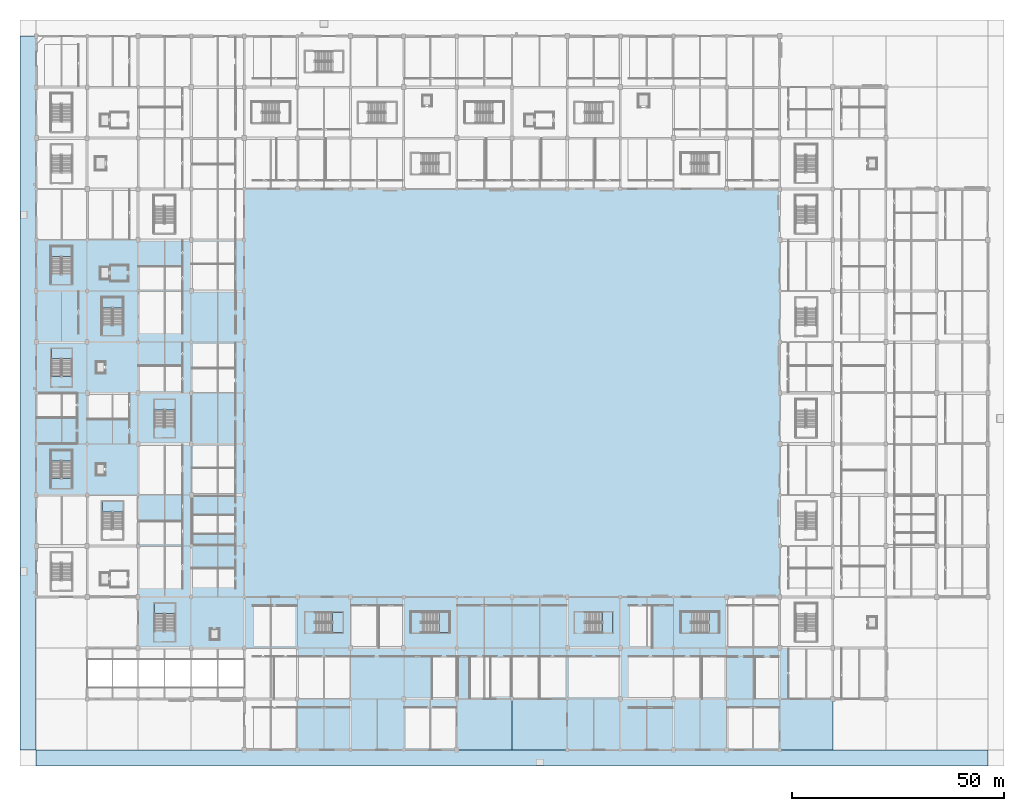
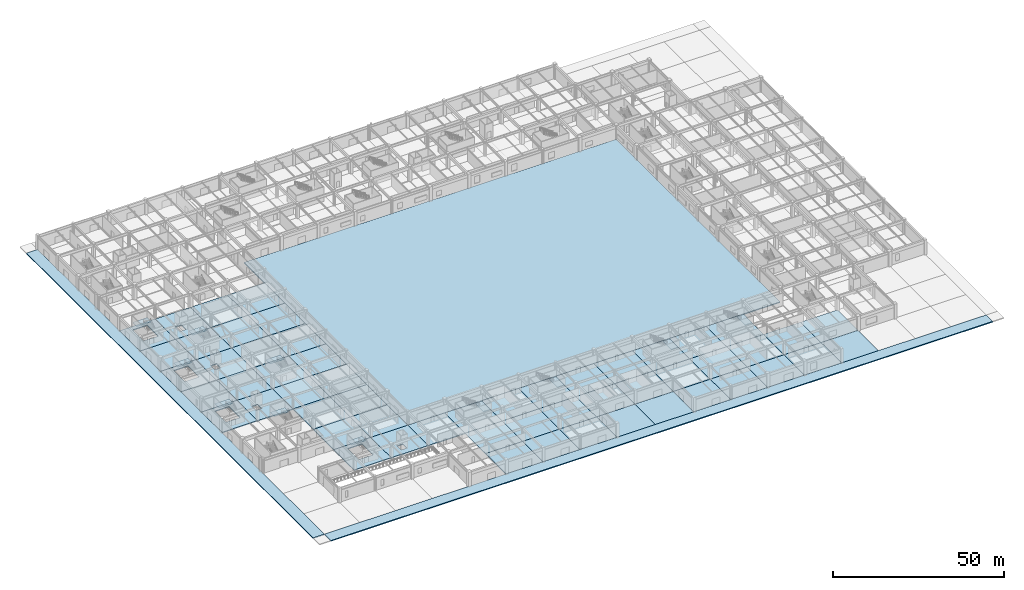
# One storey, part 9 of 69: 69 slabs, 11 elements without a shape of their own.
"""IFC4 building model written with IfcOpenShell, lengths in metres."""

from ifc_helpers import new_model, si_unit, direction, frame, origin, place, context, subcontext, project, spatial, polyline, outline, extrude, material, layer, layer_set, type_object, element, aggregate, save


model = new_model("IFC4")

# Units and contexts
model_context = context("Model", 3, precision=1e-05, world=origin(), true_north=direction((0.0, 1.0)))
body_context = subcontext(model_context, "Body", "Model", "MODEL_VIEW")
ifc_project = project(units=[si_unit("LENGTHUNIT", "METRE"), si_unit("AREAUNIT", "SQUARE_METRE"), si_unit("VOLUMEUNIT", "CUBIC_METRE"), si_unit("PLANEANGLEUNIT", "RADIAN"), si_unit("MASSUNIT", "GRAM", prefix="KILO")], contexts=[model_context])

# Site, building, storey
site_placement = place(None, origin())
site = spatial("IfcSite", under=ifc_project, at=site_placement, CompositionType="ELEMENT")
building_placement = place(site_placement, origin())
building = spatial("IfcBuilding", under=site, at=building_placement, Name="Kazenohara Klinker Stadium", CompositionType="ELEMENT")
storey_placement = place(building_placement, origin())
storey = spatial("IfcBuildingStorey", under=building, at=storey_placement, Name="L00", CompositionType="ELEMENT", Elevation=0.0)

# Slabs
ifc_material = material(Name="Concrete C40/50", Category="concrete")
ifc_layer_1 = layer(ifc_material, 0.340087890625)
ifc_layer_set_1 = layer_set([ifc_layer_1], Name="Concrete C40/50")
slab_type_1 = type_object("IfcSlabType", Name="SLB-APR-340", PredefinedType="FLOOR", material=ifc_layer_set_1)
slab_1_placement = place(storey_placement, frame((0.0, 0.0, -0.340087890625)))
element("IfcSlab", 1, at=slab_1_placement, inside=storey, type_object=slab_type_1, Name="Exterior arrival forecourt paving slab AP01 9/A", PredefinedType="FLOOR", context=body_context, shape_type="SweptSolid", body=[
    extrude(outline(polyline([(99.0, 0.0), (112.0, 0.0), (112.0, 12.0), (99.0, 12.0), (99.0, 0.0)])), origin(), (0.0, 0.0, 1.0), 0.340087890625),
])
slab_2_placement = place(storey_placement, frame((0.0, 0.0, -0.340087890625)))
element("IfcSlab", 2, at=slab_2_placement, inside=storey, type_object=slab_type_1, Name="Exterior arrival forecourt paving slab AP01 10/A", PredefinedType="FLOOR", context=body_context, shape_type="SweptSolid", body=[
    extrude(outline(polyline([(112.0, 0.0), (125.0, 0.0), (125.0, 12.0), (112.0, 12.0), (112.0, 0.0)])), origin(), (0.0, 0.0, 1.0), 0.340087890625),
])
slab_3_placement = place(storey_placement, frame((0.0, 0.0, -0.340087890625)))
element("IfcSlab", 3, at=slab_3_placement, inside=storey, type_object=slab_type_1, Name="Exterior arrival forecourt paving slab AP01 15/A", PredefinedType="FLOOR", context=body_context, shape_type="SweptSolid", body=[
    extrude(outline(polyline([(175.0, 0.0), (187.5, 0.0), (187.5, 12.0), (175.0, 12.0), (175.0, 0.0)])), origin(), (0.0, 0.0, 1.0), 0.340087890625),
])
slab_4_placement = place(storey_placement, frame((0.0, 0.0, -0.340087890625)))
element("IfcSlab", 4, at=slab_4_placement, inside=storey, type_object=slab_type_1, Name="Exterior plaza and pitch slab PLAZA-WEST", PredefinedType="FLOOR", context=body_context, shape_type="SweptSolid", body=[
    extrude(outline(polyline([(-3.800048828125, 0.0), (0.0, 0.0), (0.0, 168.0), (-3.800048828125, 168.0), (-3.800048828125, 0.0)])), origin(), (0.0, 0.0, 1.0), 0.340087890625),
])
slab_5_placement = place(storey_placement, frame((0.0, 0.0, -0.340087890625)))
element("IfcSlab", 5, at=slab_5_placement, inside=storey, type_object=slab_type_1, Name="Exterior plaza and pitch slab PLAZA-SOUTH", PredefinedType="FLOOR", context=body_context, shape_type="SweptSolid", body=[
    extrude(outline(polyline([(0.0, -3.800048828125), (224.0, -3.800048828125), (224.0, 0.0), (0.0, 0.0), (0.0, -3.800048828125)])), origin(), (0.0, 0.0, 1.0), 0.340087890625),
])
slab_6_placement = place(storey_placement, frame((0.0, 0.0, -0.340087890625)))
element("IfcSlab", 6, at=slab_6_placement, inside=storey, type_object=slab_type_1, Name="Exterior plaza and pitch slab PITCH-BOWL-TURF", PredefinedType="FLOOR", context=body_context, shape_type="SweptSolid", body=[
    extrude(outline(polyline([(49.0, 36.0), (175.0, 36.0), (175.0, 132.0), (49.0, 132.0), (49.0, 36.0)])), origin(), (0.0, 0.0, 1.0), 0.340087890625),
])
ifc_layer_2 = layer(ifc_material, 0.300048828125)
ifc_layer_set_2 = layer_set([ifc_layer_2], Name="Concrete C40/50")
slab_type_2 = type_object("IfcSlabType", Name="SLB-FLR-300", PredefinedType="FLOOR", material=ifc_layer_set_2)
slab_7_placement = place(storey_placement, frame((0.0, 0.0, -0.300048828125)))
element("IfcSlab", 7, at=slab_7_placement, inside=storey, type_object=slab_type_2, Name="Floor slab FS01 L00 1/F", PredefinedType="FLOOR", context=body_context, shape_type="SweptSolid", body=[
    extrude(outline(polyline([(0.0, 60.0), (12.0, 60.0), (12.0, 72.0), (0.0, 72.0), (0.0, 60.0)]), holes=[polyline([(8.409912109375, 63.929931640625), (8.409912109375, 70.4599609375), (3.590087890625, 70.4599609375), (3.590087890625, 63.929931640625), (8.409912109375, 63.929931640625)])]), origin(), (0.0, 0.0, 1.0), 0.300048828125),
])
slab_8_placement = place(storey_placement, frame((0.0, 0.0, -0.300048828125)))
element("IfcSlab", 8, at=slab_8_placement, inside=storey, type_object=slab_type_2, Name="Floor slab FS01 L00 1/G", PredefinedType="FLOOR", context=body_context, shape_type="SweptSolid", body=[
    extrude(outline(polyline([(0.0, 72.0), (12.0, 72.0), (12.0, 84.0), (0.0, 84.0), (0.0, 72.0)])), origin(), (0.0, 0.0, 1.0), 0.300048828125),
])
slab_9_placement = place(storey_placement, frame((0.0, 0.0, -0.300048828125)))
element("IfcSlab", 9, at=slab_9_placement, inside=storey, type_object=slab_type_2, Name="Floor slab FS01 L00 1/H", PredefinedType="FLOOR", context=body_context, shape_type="SweptSolid", body=[
    extrude(outline(polyline([(0.0, 84.0), (12.0, 84.0), (12.0, 96.0), (0.0, 96.0), (0.0, 84.0)]), holes=[polyline([(8.429931640625, 87.949951171875), (8.429931640625, 94.4599609375), (3.570068359375, 94.4599609375), (3.570068359375, 87.949951171875), (8.429931640625, 87.949951171875)])]), origin(), (0.0, 0.0, 1.0), 0.300048828125),
])
slab_10_placement = place(storey_placement, frame((0.0, 0.0, -0.300048828125)))
element("IfcSlab", 10, at=slab_10_placement, inside=storey, type_object=slab_type_2, Name="Floor slab FS01 L00 1/J", PredefinedType="FLOOR", context=body_context, shape_type="SweptSolid", body=[
    extrude(outline(polyline([(0.0, 96.0), (12.0, 96.0), (12.0, 108.0), (0.0, 108.0), (0.0, 96.0)])), origin(), (0.0, 0.0, 1.0), 0.300048828125),
])
slab_11_placement = place(storey_placement, frame((0.0, 0.0, -0.300048828125)))
element("IfcSlab", 11, at=slab_11_placement, inside=storey, type_object=slab_type_2, Name="Floor slab FS01 L00 1/K", PredefinedType="FLOOR", context=body_context, shape_type="SweptSolid", body=[
    extrude(outline(polyline([(0.0, 108.0), (12.0, 108.0), (12.0, 120.0), (0.0, 120.0), (0.0, 108.0)]), holes=[polyline([(8.43994140625, 111.9599609375), (8.43994140625, 118.4599609375), (3.56005859375, 118.4599609375), (3.56005859375, 111.9599609375), (8.43994140625, 111.9599609375)])]), origin(), (0.0, 0.0, 1.0), 0.300048828125),
])
slab_12_placement = place(storey_placement, frame((0.0, 0.0, -0.300048828125)))
element("IfcSlab", 12, at=slab_12_placement, inside=storey, type_object=slab_type_2, Name="Floor slab FS01 L00 2/F", PredefinedType="FLOOR", context=body_context, shape_type="SweptSolid", body=[
    extrude(outline(polyline([(12.0, 60.0), (24.0, 60.0), (24.0, 72.0), (12.0, 72.0), (12.0, 60.0)]), holes=[polyline([(14.25, 64.800048828125), (16.14990234375, 64.800048828125), (16.14990234375, 67.199951171875), (14.25, 67.199951171875), (14.25, 64.800048828125)])]), origin(), (0.0, 0.0, 1.0), 0.300048828125),
])
slab_13_placement = place(storey_placement, frame((0.0, 0.0, -0.300048828125)))
element("IfcSlab", 13, at=slab_13_placement, inside=storey, type_object=slab_type_2, Name="Floor slab FS01 L00 2/G", PredefinedType="FLOOR", context=body_context, shape_type="SweptSolid", body=[
    extrude(outline(polyline([(12.0, 72.0), (24.0, 72.0), (24.0, 84.0), (12.0, 84.0), (12.0, 72.0)])), origin(), (0.0, 0.0, 1.0), 0.300048828125),
])
slab_14_placement = place(storey_placement, frame((0.0, 0.0, -0.300048828125)))
element("IfcSlab", 14, at=slab_14_placement, inside=storey, type_object=slab_type_2, Name="Floor slab FS01 L00 2/H", PredefinedType="FLOOR", context=body_context, shape_type="SweptSolid", body=[
    extrude(outline(polyline([(12.0, 84.0), (24.0, 84.0), (24.0, 96.0), (12.0, 96.0), (12.0, 84.0)]), holes=[polyline([(14.25, 88.800048828125), (16.14990234375, 88.800048828125), (16.14990234375, 91.199951171875), (14.25, 91.199951171875), (14.25, 88.800048828125)])]), origin(), (0.0, 0.0, 1.0), 0.300048828125),
])
slab_15_placement = place(storey_placement, frame((0.0, 0.0, -0.300048828125)))
element("IfcSlab", 15, at=slab_15_placement, inside=storey, type_object=slab_type_2, Name="Floor slab FS01 L00 2/J", PredefinedType="FLOOR", context=body_context, shape_type="SweptSolid", body=[
    extrude(outline(polyline([(12.0, 96.0), (24.0, 96.0), (24.0, 108.0), (12.0, 108.0), (12.0, 96.0)])), origin(), (0.0, 0.0, 1.0), 0.300048828125),
])
slab_16_placement = place(storey_placement, frame((0.0, 0.0, -0.300048828125)))
element("IfcSlab", 16, at=slab_16_placement, inside=storey, type_object=slab_type_2, Name="Floor slab FS01 L00 2/K", PredefinedType="FLOOR", context=body_context, shape_type="SweptSolid", body=[
    extrude(outline(polyline([(12.0, 108.0), (24.0, 108.0), (24.0, 120.0), (12.0, 120.0), (12.0, 108.0)]), holes=[polyline([(15.14990234375, 110.85009765625), (17.25, 110.85009765625), (17.25, 113.550048828125), (15.14990234375, 113.550048828125), (15.14990234375, 110.85009765625)])]), origin(), (0.0, 0.0, 1.0), 0.300048828125),
])
slab_17_placement = place(storey_placement, frame((0.0, 0.0, -0.300048828125)))
element("IfcSlab", 17, at=slab_17_placement, inside=storey, type_object=slab_type_2, Name="Floor slab FS01 L00 3/C", PredefinedType="FLOOR", context=body_context, shape_type="SweptSolid", body=[
    extrude(outline(polyline([(24.0, 24.0), (36.5, 24.0), (36.5, 36.0), (24.0, 36.0), (24.0, 24.0)]), holes=[polyline([(32.679931640625, 27.949951171875), (32.679931640625, 34.4599609375), (27.820068359375, 34.4599609375), (27.820068359375, 27.949951171875), (32.679931640625, 27.949951171875)])]), origin(), (0.0, 0.0, 1.0), 0.300048828125),
])
slab_18_placement = place(storey_placement, frame((0.0, 0.0, -0.300048828125)))
element("IfcSlab", 18, at=slab_18_placement, inside=storey, type_object=slab_type_2, Name="Floor slab FS01 L00 3/D", PredefinedType="FLOOR", context=body_context, shape_type="SweptSolid", body=[
    extrude(outline(polyline([(24.0, 36.0), (36.5, 36.0), (36.5, 48.0), (24.0, 48.0), (24.0, 36.0)])), origin(), (0.0, 0.0, 1.0), 0.300048828125),
])
slab_19_placement = place(storey_placement, frame((0.0, 0.0, -0.300048828125)))
element("IfcSlab", 19, at=slab_19_placement, inside=storey, type_object=slab_type_2, Name="Floor slab FS01 L00 3/E", PredefinedType="FLOOR", context=body_context, shape_type="SweptSolid", body=[
    extrude(outline(polyline([(24.0, 48.0), (36.5, 48.0), (36.5, 60.0), (24.0, 60.0), (24.0, 48.0)])), origin(), (0.0, 0.0, 1.0), 0.300048828125),
])
slab_20_placement = place(storey_placement, frame((0.0, 0.0, -0.300048828125)))
element("IfcSlab", 20, at=slab_20_placement, inside=storey, type_object=slab_type_2, Name="Floor slab FS01 L00 3/F", PredefinedType="FLOOR", context=body_context, shape_type="SweptSolid", body=[
    extrude(outline(polyline([(24.0, 60.0), (36.5, 60.0), (36.5, 72.0), (24.0, 72.0), (24.0, 60.0)])), origin(), (0.0, 0.0, 1.0), 0.300048828125),
])
slab_21_placement = place(storey_placement, frame((0.0, 0.0, -0.300048828125)))
element("IfcSlab", 21, at=slab_21_placement, inside=storey, type_object=slab_type_2, Name="Floor slab FS01 L00 3/G", PredefinedType="FLOOR", context=body_context, shape_type="SweptSolid", body=[
    extrude(outline(polyline([(24.0, 72.0), (36.5, 72.0), (36.5, 84.0), (24.0, 84.0), (24.0, 72.0)])), origin(), (0.0, 0.0, 1.0), 0.300048828125),
])
slab_22_placement = place(storey_placement, frame((0.0, 0.0, -0.300048828125)))
element("IfcSlab", 22, at=slab_22_placement, inside=storey, type_object=slab_type_2, Name="Floor slab FS01 L00 3/H", PredefinedType="FLOOR", context=body_context, shape_type="SweptSolid", body=[
    extrude(outline(polyline([(24.0, 84.0), (36.5, 84.0), (36.5, 96.0), (24.0, 96.0), (24.0, 84.0)])), origin(), (0.0, 0.0, 1.0), 0.300048828125),
])
slab_23_placement = place(storey_placement, frame((0.0, 0.0, -0.300048828125)))
element("IfcSlab", 23, at=slab_23_placement, inside=storey, type_object=slab_type_2, Name="Floor slab FS01 L00 3/J", PredefinedType="FLOOR", context=body_context, shape_type="SweptSolid", body=[
    extrude(outline(polyline([(24.0, 96.0), (36.5, 96.0), (36.5, 108.0), (24.0, 108.0), (24.0, 96.0)])), origin(), (0.0, 0.0, 1.0), 0.300048828125),
])
slab_24_placement = place(storey_placement, frame((0.0, 0.0, -0.300048828125)))
element("IfcSlab", 24, at=slab_24_placement, inside=storey, type_object=slab_type_2, Name="Floor slab FS01 L00 3/K", PredefinedType="FLOOR", context=body_context, shape_type="SweptSolid", body=[
    extrude(outline(polyline([(24.0, 108.0), (36.5, 108.0), (36.5, 120.0), (24.0, 120.0), (24.0, 108.0)])), origin(), (0.0, 0.0, 1.0), 0.300048828125),
])
slab_25_placement = place(storey_placement, frame((0.0, 0.0, -0.300048828125)))
element("IfcSlab", 25, at=slab_25_placement, inside=storey, type_object=slab_type_2, Name="Floor slab FS01 L00 4/C", PredefinedType="FLOOR", context=body_context, shape_type="SweptSolid", body=[
    extrude(outline(polyline([(36.5, 24.0), (49.0, 24.0), (49.0, 36.0), (36.5, 36.0), (36.5, 24.0)]), holes=[polyline([(41.050048828125, 26.0), (42.949951171875, 26.0), (42.949951171875, 28.39990234375), (41.050048828125, 28.39990234375), (41.050048828125, 26.0)])]), origin(), (0.0, 0.0, 1.0), 0.300048828125),
])
slab_26_placement = place(storey_placement, frame((0.0, 0.0, -0.300048828125)))
element("IfcSlab", 26, at=slab_26_placement, inside=storey, type_object=slab_type_2, Name="Floor slab FS01 L00 4/D", PredefinedType="FLOOR", context=body_context, shape_type="SweptSolid", body=[
    extrude(outline(polyline([(36.5, 36.0), (49.0, 36.0), (49.0, 48.0), (36.5, 48.0), (36.5, 36.0)])), origin(), (0.0, 0.0, 1.0), 0.300048828125),
])
slab_27_placement = place(storey_placement, frame((0.0, 0.0, -0.300048828125)))
element("IfcSlab", 27, at=slab_27_placement, inside=storey, type_object=slab_type_2, Name="Floor slab FS01 L00 4/E", PredefinedType="FLOOR", context=body_context, shape_type="SweptSolid", body=[
    extrude(outline(polyline([(36.5, 48.0), (49.0, 48.0), (49.0, 60.0), (36.5, 60.0), (36.5, 48.0)])), origin(), (0.0, 0.0, 1.0), 0.300048828125),
])
slab_28_placement = place(storey_placement, frame((0.0, 0.0, -0.300048828125)))
element("IfcSlab", 28, at=slab_28_placement, inside=storey, type_object=slab_type_2, Name="Floor slab FS01 L00 4/F", PredefinedType="FLOOR", context=body_context, shape_type="SweptSolid", body=[
    extrude(outline(polyline([(36.5, 60.0), (49.0, 60.0), (49.0, 72.0), (36.5, 72.0), (36.5, 60.0)])), origin(), (0.0, 0.0, 1.0), 0.300048828125),
])
slab_29_placement = place(storey_placement, frame((0.0, 0.0, -0.300048828125)))
element("IfcSlab", 29, at=slab_29_placement, inside=storey, type_object=slab_type_2, Name="Floor slab FS01 L00 4/G", PredefinedType="FLOOR", context=body_context, shape_type="SweptSolid", body=[
    extrude(outline(polyline([(36.5, 72.0), (49.0, 72.0), (49.0, 84.0), (36.5, 84.0), (36.5, 72.0)])), origin(), (0.0, 0.0, 1.0), 0.300048828125),
])
slab_30_placement = place(storey_placement, frame((0.0, 0.0, -0.300048828125)))
element("IfcSlab", 30, at=slab_30_placement, inside=storey, type_object=slab_type_2, Name="Floor slab FS01 L00 4/H", PredefinedType="FLOOR", context=body_context, shape_type="SweptSolid", body=[
    extrude(outline(polyline([(36.5, 84.0), (49.0, 84.0), (49.0, 96.0), (36.5, 96.0), (36.5, 84.0)])), origin(), (0.0, 0.0, 1.0), 0.300048828125),
])
slab_31_placement = place(storey_placement, frame((0.0, 0.0, -0.300048828125)))
element("IfcSlab", 31, at=slab_31_placement, inside=storey, type_object=slab_type_2, Name="Floor slab FS01 L00 4/J", PredefinedType="FLOOR", context=body_context, shape_type="SweptSolid", body=[
    extrude(outline(polyline([(36.5, 96.0), (49.0, 96.0), (49.0, 108.0), (36.5, 108.0), (36.5, 96.0)])), origin(), (0.0, 0.0, 1.0), 0.300048828125),
])
slab_32_placement = place(storey_placement, frame((0.0, 0.0, -0.300048828125)))
element("IfcSlab", 32, at=slab_32_placement, inside=storey, type_object=slab_type_2, Name="Floor slab FS01 L00 4/K", PredefinedType="FLOOR", context=body_context, shape_type="SweptSolid", body=[
    extrude(outline(polyline([(36.5, 108.0), (49.0, 108.0), (49.0, 120.0), (36.5, 120.0), (36.5, 108.0)])), origin(), (0.0, 0.0, 1.0), 0.300048828125),
])
slab_33_placement = place(storey_placement, frame((0.0, 0.0, -0.300048828125)))
element("IfcSlab", 33, at=slab_33_placement, inside=storey, type_object=slab_type_2, Name="Floor slab FS01 L00 5/C", PredefinedType="FLOOR", context=body_context, shape_type="SweptSolid", body=[
    extrude(outline(polyline([(49.0, 24.0), (61.5, 24.0), (61.5, 36.0), (49.0, 36.0), (49.0, 24.0)])), origin(), (0.0, 0.0, 1.0), 0.300048828125),
])
slab_34_placement = place(storey_placement, frame((0.0, 0.0, -0.300048828125)))
element("IfcSlab", 34, at=slab_34_placement, inside=storey, type_object=slab_type_2, Name="Floor slab FS01 L00 6/A", PredefinedType="FLOOR", context=body_context, shape_type="SweptSolid", body=[
    extrude(outline(polyline([(61.5, 0.0), (74.0, 0.0), (74.0, 12.0), (61.5, 12.0), (61.5, 0.0)])), origin(), (0.0, 0.0, 1.0), 0.300048828125),
])
slab_35_placement = place(storey_placement, frame((0.0, 0.0, -0.300048828125)))
element("IfcSlab", 35, at=slab_35_placement, inside=storey, type_object=slab_type_2, Name="Floor slab FS01 L00 6/B", PredefinedType="FLOOR", context=body_context, shape_type="SweptSolid", body=[
    extrude(outline(polyline([(61.5, 12.0), (74.0, 12.0), (74.0, 24.0), (61.5, 24.0), (61.5, 12.0)])), origin(), (0.0, 0.0, 1.0), 0.300048828125),
])
slab_36_placement = place(storey_placement, frame((0.0, 0.0, -0.300048828125)))
element("IfcSlab", 36, at=slab_36_placement, inside=storey, type_object=slab_type_2, Name="Floor slab FS01 L00 6/C", PredefinedType="FLOOR", context=body_context, shape_type="SweptSolid", body=[
    extrude(outline(polyline([(61.5, 24.0), (74.0, 24.0), (74.0, 36.0), (61.5, 36.0), (61.5, 24.0)])), origin(), (0.0, 0.0, 1.0), 0.300048828125),
])
slab_37_placement = place(storey_placement, frame((0.0, 0.0, -0.300048828125)))
element("IfcSlab", 37, at=slab_37_placement, inside=storey, type_object=slab_type_2, Name="Floor slab FS01 L00 7/A", PredefinedType="FLOOR", context=body_context, shape_type="SweptSolid", body=[
    extrude(outline(polyline([(74.0, 0.0), (86.5, 0.0), (86.5, 12.0), (74.0, 12.0), (74.0, 0.0)])), origin(), (0.0, 0.0, 1.0), 0.300048828125),
])
slab_38_placement = place(storey_placement, frame((0.0, 0.0, -0.300048828125)))
element("IfcSlab", 38, at=slab_38_placement, inside=storey, type_object=slab_type_2, Name="Floor slab FS01 L00 7/B", PredefinedType="FLOOR", context=body_context, shape_type="SweptSolid", body=[
    extrude(outline(polyline([(74.0, 12.0), (86.5, 12.0), (86.5, 24.0), (74.0, 24.0), (74.0, 12.0)])), origin(), (0.0, 0.0, 1.0), 0.300048828125),
])
slab_39_placement = place(storey_placement, frame((0.0, 0.0, -0.300048828125)))
element("IfcSlab", 39, at=slab_39_placement, inside=storey, type_object=slab_type_2, Name="Floor slab FS01 L00 7/C", PredefinedType="FLOOR", context=body_context, shape_type="SweptSolid", body=[
    extrude(outline(polyline([(74.0, 24.0), (86.5, 24.0), (86.5, 36.0), (74.0, 36.0), (74.0, 24.0)])), origin(), (0.0, 0.0, 1.0), 0.300048828125),
])
slab_40_placement = place(storey_placement, frame((0.0, 0.0, -0.300048828125)))
element("IfcSlab", 40, at=slab_40_placement, inside=storey, type_object=slab_type_2, Name="Floor slab FS01 L00 8/A", PredefinedType="FLOOR", context=body_context, shape_type="SweptSolid", body=[
    extrude(outline(polyline([(86.5, 0.0), (99.0, 0.0), (99.0, 12.0), (86.5, 12.0), (86.5, 0.0)])), origin(), (0.0, 0.0, 1.0), 0.300048828125),
])
slab_41_placement = place(storey_placement, frame((0.0, 0.0, -0.300048828125)))
element("IfcSlab", 41, at=slab_41_placement, inside=storey, type_object=slab_type_2, Name="Floor slab FS01 L00 8/B", PredefinedType="FLOOR", context=body_context, shape_type="SweptSolid", body=[
    extrude(outline(polyline([(86.5, 12.0), (99.0, 12.0), (99.0, 24.0), (86.5, 24.0), (86.5, 12.0)])), origin(), (0.0, 0.0, 1.0), 0.300048828125),
])
slab_42_placement = place(storey_placement, frame((0.0, 0.0, -0.300048828125)))
element("IfcSlab", 42, at=slab_42_placement, inside=storey, type_object=slab_type_2, Name="Floor slab FS01 L00 8/C", PredefinedType="FLOOR", context=body_context, shape_type="SweptSolid", body=[
    extrude(outline(polyline([(86.5, 24.0), (99.0, 24.0), (99.0, 36.0), (86.5, 36.0), (86.5, 24.0)])), origin(), (0.0, 0.0, 1.0), 0.300048828125),
])
slab_43_placement = place(storey_placement, frame((0.0, 0.0, -0.300048828125)))
element("IfcSlab", 43, at=slab_43_placement, inside=storey, type_object=slab_type_2, Name="Floor slab FS01 L00 9/B", PredefinedType="FLOOR", context=body_context, shape_type="SweptSolid", body=[
    extrude(outline(polyline([(99.0, 12.0), (112.0, 12.0), (112.0, 24.0), (99.0, 24.0), (99.0, 12.0)])), origin(), (0.0, 0.0, 1.0), 0.300048828125),
])
slab_44_placement = place(storey_placement, frame((0.0, 0.0, -0.300048828125)))
element("IfcSlab", 44, at=slab_44_placement, inside=storey, type_object=slab_type_2, Name="Floor slab FS01 L00 9/C", PredefinedType="FLOOR", context=body_context, shape_type="SweptSolid", body=[
    extrude(outline(polyline([(99.0, 24.0), (112.0, 24.0), (112.0, 36.0), (99.0, 36.0), (99.0, 24.0)])), origin(), (0.0, 0.0, 1.0), 0.300048828125),
])
slab_45_placement = place(storey_placement, frame((0.0, 0.0, -0.300048828125)))
element("IfcSlab", 45, at=slab_45_placement, inside=storey, type_object=slab_type_2, Name="Floor slab FS01 L00 10/B", PredefinedType="FLOOR", context=body_context, shape_type="SweptSolid", body=[
    extrude(outline(polyline([(112.0, 12.0), (125.0, 12.0), (125.0, 24.0), (112.0, 24.0), (112.0, 12.0)])), origin(), (0.0, 0.0, 1.0), 0.300048828125),
])
slab_46_placement = place(storey_placement, frame((0.0, 0.0, -0.300048828125)))
element("IfcSlab", 46, at=slab_46_placement, inside=storey, type_object=slab_type_2, Name="Floor slab FS01 L00 10/C", PredefinedType="FLOOR", context=body_context, shape_type="SweptSolid", body=[
    extrude(outline(polyline([(112.0, 24.0), (125.0, 24.0), (125.0, 36.0), (112.0, 36.0), (112.0, 24.0)])), origin(), (0.0, 0.0, 1.0), 0.300048828125),
])
slab_47_placement = place(storey_placement, frame((0.0, 0.0, -0.300048828125)))
element("IfcSlab", 47, at=slab_47_placement, inside=storey, type_object=slab_type_2, Name="Floor slab FS01 L00 11/A", PredefinedType="FLOOR", context=body_context, shape_type="SweptSolid", body=[
    extrude(outline(polyline([(125.0, 0.0), (137.5, 0.0), (137.5, 12.0), (125.0, 12.0), (125.0, 0.0)])), origin(), (0.0, 0.0, 1.0), 0.300048828125),
])
slab_48_placement = place(storey_placement, frame((0.0, 0.0, -0.300048828125)))
element("IfcSlab", 48, at=slab_48_placement, inside=storey, type_object=slab_type_2, Name="Floor slab FS01 L00 11/B", PredefinedType="FLOOR", context=body_context, shape_type="SweptSolid", body=[
    extrude(outline(polyline([(125.0, 12.0), (137.5, 12.0), (137.5, 24.0), (125.0, 24.0), (125.0, 12.0)])), origin(), (0.0, 0.0, 1.0), 0.300048828125),
])
slab_49_placement = place(storey_placement, frame((0.0, 0.0, -0.300048828125)))
element("IfcSlab", 49, at=slab_49_placement, inside=storey, type_object=slab_type_2, Name="Floor slab FS01 L00 11/C", PredefinedType="FLOOR", context=body_context, shape_type="SweptSolid", body=[
    extrude(outline(polyline([(125.0, 24.0), (137.5, 24.0), (137.5, 36.0), (125.0, 36.0), (125.0, 24.0)])), origin(), (0.0, 0.0, 1.0), 0.300048828125),
])
slab_50_placement = place(storey_placement, frame((0.0, 0.0, -0.300048828125)))
element("IfcSlab", 50, at=slab_50_placement, inside=storey, type_object=slab_type_2, Name="Floor slab FS01 L00 12/A", PredefinedType="FLOOR", context=body_context, shape_type="SweptSolid", body=[
    extrude(outline(polyline([(137.5, 0.0), (150.0, 0.0), (150.0, 12.0), (137.5, 12.0), (137.5, 0.0)])), origin(), (0.0, 0.0, 1.0), 0.300048828125),
])
slab_51_placement = place(storey_placement, frame((0.0, 0.0, -0.300048828125)))
element("IfcSlab", 51, at=slab_51_placement, inside=storey, type_object=slab_type_2, Name="Floor slab FS01 L00 12/B", PredefinedType="FLOOR", context=body_context, shape_type="SweptSolid", body=[
    extrude(outline(polyline([(137.5, 12.0), (150.0, 12.0), (150.0, 24.0), (137.5, 24.0), (137.5, 12.0)])), origin(), (0.0, 0.0, 1.0), 0.300048828125),
])
slab_52_placement = place(storey_placement, frame((0.0, 0.0, -0.300048828125)))
element("IfcSlab", 52, at=slab_52_placement, inside=storey, type_object=slab_type_2, Name="Floor slab FS01 L00 12/C", PredefinedType="FLOOR", context=body_context, shape_type="SweptSolid", body=[
    extrude(outline(polyline([(137.5, 24.0), (150.0, 24.0), (150.0, 36.0), (137.5, 36.0), (137.5, 24.0)])), origin(), (0.0, 0.0, 1.0), 0.300048828125),
])
slab_53_placement = place(storey_placement, frame((0.0, 0.0, -0.300048828125)))
element("IfcSlab", 53, at=slab_53_placement, inside=storey, type_object=slab_type_2, Name="Floor slab FS01 L00 13/A", PredefinedType="FLOOR", context=body_context, shape_type="SweptSolid", body=[
    extrude(outline(polyline([(150.0, 0.0), (162.5, 0.0), (162.5, 12.0), (150.0, 12.0), (150.0, 0.0)])), origin(), (0.0, 0.0, 1.0), 0.300048828125),
])
slab_54_placement = place(storey_placement, frame((0.0, 0.0, -0.300048828125)))
element("IfcSlab", 54, at=slab_54_placement, inside=storey, type_object=slab_type_2, Name="Floor slab FS01 L00 13/B", PredefinedType="FLOOR", context=body_context, shape_type="SweptSolid", body=[
    extrude(outline(polyline([(150.0, 12.0), (162.5, 12.0), (162.5, 24.0), (150.0, 24.0), (150.0, 12.0)])), origin(), (0.0, 0.0, 1.0), 0.300048828125),
])
slab_55_placement = place(storey_placement, frame((0.0, 0.0, -0.300048828125)))
element("IfcSlab", 55, at=slab_55_placement, inside=storey, type_object=slab_type_2, Name="Floor slab FS01 L00 13/C", PredefinedType="FLOOR", context=body_context, shape_type="SweptSolid", body=[
    extrude(outline(polyline([(150.0, 24.0), (162.5, 24.0), (162.5, 36.0), (150.0, 36.0), (150.0, 24.0)])), origin(), (0.0, 0.0, 1.0), 0.300048828125),
])
slab_56_placement = place(storey_placement, frame((0.0, 0.0, -0.300048828125)))
element("IfcSlab", 56, at=slab_56_placement, inside=storey, type_object=slab_type_2, Name="Floor slab FS01 L00 14/A", PredefinedType="FLOOR", context=body_context, shape_type="SweptSolid", body=[
    extrude(outline(polyline([(162.5, 0.0), (175.0, 0.0), (175.0, 12.0), (162.5, 12.0), (162.5, 0.0)])), origin(), (0.0, 0.0, 1.0), 0.300048828125),
])
slab_57_placement = place(storey_placement, frame((0.0, 0.0, -0.300048828125)))
element("IfcSlab", 57, at=slab_57_placement, inside=storey, type_object=slab_type_2, Name="Floor slab FS01 L00 14/B", PredefinedType="FLOOR", context=body_context, shape_type="SweptSolid", body=[
    extrude(outline(polyline([(162.5, 12.0), (175.0, 12.0), (175.0, 24.0), (162.5, 24.0), (162.5, 12.0)])), origin(), (0.0, 0.0, 1.0), 0.300048828125),
])
slab_58_placement = place(storey_placement, frame((0.0, 0.0, -0.300048828125)))
element("IfcSlab", 58, at=slab_58_placement, inside=storey, type_object=slab_type_2, Name="Floor slab FS01 L00 15/B", PredefinedType="FLOOR", context=body_context, shape_type="SweptSolid", body=[
    extrude(outline(polyline([(175.0, 12.0), (187.5, 12.0), (187.5, 24.0), (175.0, 24.0), (175.0, 12.0)])), origin(), (0.0, 0.0, 1.0), 0.300048828125),
])

# Stair, slab
stair_type_1 = type_object("IfcStairType", Name="STR-DL-2310", PredefinedType="HALF_TURN_STAIR", material=ifc_material)
stair_1_placement = place(storey_placement, origin())
stair_1 = element("IfcStair", 59, at=stair_1_placement, inside=storey, type_object=stair_type_1, Name="L00 Enclosed escape stair ST02", PredefinedType="HALF_TURN_STAIR")
ifc_layer_3 = layer(ifc_material, 0.199951171875)
ifc_layer_set_3 = layer_set([ifc_layer_3], Name="Concrete C40/50")
slab_type_3 = type_object("IfcSlabType", Name="SLB-LND-200", PredefinedType="LANDING", material=ifc_layer_set_3)
slab_59_placement = place(storey_placement, frame((0.0, 0.0, 2.5)))
slab_59 = element("IfcSlab", 60, at=slab_59_placement, type_object=slab_type_3, Name="ST02 landing 1", PredefinedType="LANDING", context=body_context, shape_type="SweptSolid", body=[
    extrude(outline(polyline([(8.409912109375, 68.050048828125), (8.409912109375, 70.4599609375), (3.590087890625, 70.4599609375), (3.590087890625, 68.050048828125), (8.409912109375, 68.050048828125)])), origin(), (0.0, 0.0, 1.0), 0.199951171875),
])
aggregate(stair_1, [slab_59])

stair_type_2 = type_object("IfcStairType", Name="STR-DL-2330", PredefinedType="HALF_TURN_STAIR", material=ifc_material)
stair_2_placement = place(storey_placement, origin())
stair_2 = element("IfcStair", 61, at=stair_2_placement, inside=storey, type_object=stair_type_2, Name="L00 Enclosed escape stair ST03", PredefinedType="HALF_TURN_STAIR")
slab_60_placement = place(storey_placement, frame((0.0, 0.0, 2.5)))
slab_60 = element("IfcSlab", 62, at=slab_60_placement, type_object=slab_type_3, Name="ST03 landing 1", PredefinedType="LANDING", context=body_context, shape_type="SweptSolid", body=[
    extrude(outline(polyline([(8.429931640625, 92.070068359375), (8.429931640625, 94.4599609375), (3.570068359375, 94.4599609375), (3.570068359375, 92.070068359375), (8.429931640625, 92.070068359375)])), origin(), (0.0, 0.0, 1.0), 0.199951171875),
])
aggregate(stair_2, [slab_60])

stair_type_3 = type_object("IfcStairType", Name="STR-DL-2340", PredefinedType="HALF_TURN_STAIR", material=ifc_material)
stair_3_placement = place(storey_placement, origin())
stair_3 = element("IfcStair", 63, at=stair_3_placement, inside=storey, type_object=stair_type_3, Name="L00 Enclosed escape stair ST04", PredefinedType="HALF_TURN_STAIR")
slab_61_placement = place(storey_placement, frame((0.0, 0.0, 2.5)))
slab_61 = element("IfcSlab", 64, at=slab_61_placement, type_object=slab_type_3, Name="ST04 landing 1", PredefinedType="LANDING", context=body_context, shape_type="SweptSolid", body=[
    extrude(outline(polyline([(8.43994140625, 116.080078125), (8.43994140625, 118.4599609375), (3.56005859375, 118.4599609375), (3.56005859375, 116.080078125), (8.43994140625, 116.080078125)])), origin(), (0.0, 0.0, 1.0), 0.199951171875),
])
aggregate(stair_3, [slab_61])

stair_4_placement = place(storey_placement, origin())
stair_4 = element("IfcStair", 65, at=stair_4_placement, inside=storey, type_object=stair_type_2, Name="L00 Enclosed escape stair ST07", PredefinedType="HALF_TURN_STAIR")
slab_62_placement = place(storey_placement, frame((0.0, 0.0, 2.5)))
slab_62 = element("IfcSlab", 66, at=slab_62_placement, type_object=slab_type_3, Name="ST07 landing 1", PredefinedType="LANDING", context=body_context, shape_type="SweptSolid", body=[
    extrude(outline(polyline([(32.679931640625, 32.070068359375), (32.679931640625, 34.4599609375), (27.820068359375, 34.4599609375), (27.820068359375, 32.070068359375), (32.679931640625, 32.070068359375)])), origin(), (0.0, 0.0, 1.0), 0.199951171875),
])
aggregate(stair_4, [slab_62])

stair_type_4 = type_object("IfcStairType", Name="STR-DL-2300", PredefinedType="HALF_TURN_STAIR", material=ifc_material)
stair_5_placement = place(storey_placement, origin())
stair_5 = element("IfcStair", 67, at=stair_5_placement, inside=storey, type_object=stair_type_4, Name="L00 Enclosed escape stair ST13", PredefinedType="HALF_TURN_STAIR")
slab_63_placement = place(storey_placement, frame((0.0, 0.0, 2.5)))
slab_63 = element("IfcSlab", 68, at=slab_63_placement, type_object=slab_type_3, Name="ST13 landing 1", PredefinedType="LANDING", context=body_context, shape_type="SweptSolid", body=[
    extrude(outline(polyline([(20.39990234375, 56.0400390625), (20.39990234375, 58.4599609375), (15.60009765625, 58.4599609375), (15.60009765625, 56.0400390625), (20.39990234375, 56.0400390625)])), origin(), (0.0, 0.0, 1.0), 0.199951171875),
])
aggregate(stair_5, [slab_63])

stair_6_placement = place(storey_placement, origin())
stair_6 = element("IfcStair", 69, at=stair_6_placement, inside=storey, type_object=stair_type_1, Name="L00 Enclosed escape stair ST14", PredefinedType="HALF_TURN_STAIR")
slab_64_placement = place(storey_placement, frame((0.0, 0.0, 2.5)))
slab_64 = element("IfcSlab", 70, at=slab_64_placement, type_object=slab_type_3, Name="ST14 landing 1", PredefinedType="LANDING", context=body_context, shape_type="SweptSolid", body=[
    extrude(outline(polyline([(20.409912109375, 104.050048828125), (20.409912109375, 106.4599609375), (15.590087890625, 106.4599609375), (15.590087890625, 104.050048828125), (20.409912109375, 104.050048828125)])), origin(), (0.0, 0.0, 1.0), 0.199951171875),
])
aggregate(stair_6, [slab_64])

stair_7_placement = place(storey_placement, origin())
stair_7 = element("IfcStair", 71, at=stair_7_placement, inside=storey, type_object=stair_type_4, Name="L00 Enclosed escape stair ST17", PredefinedType="HALF_TURN_STAIR")
slab_65_placement = place(storey_placement, frame((0.0, 0.0, 2.5)))
slab_65 = element("IfcSlab", 72, at=slab_65_placement, type_object=slab_type_3, Name="ST17 landing 1", PredefinedType="LANDING", context=body_context, shape_type="SweptSolid", body=[
    extrude(outline(polyline([(32.64990234375, 80.0400390625), (32.64990234375, 82.4599609375), (27.85009765625, 82.4599609375), (27.85009765625, 80.0400390625), (32.64990234375, 80.0400390625)])), origin(), (0.0, 0.0, 1.0), 0.199951171875),
])
aggregate(stair_7, [slab_65])

stair_8_placement = place(storey_placement, origin())
stair_8 = element("IfcStair", 73, at=stair_8_placement, inside=storey, type_object=stair_type_4, Name="L00 Enclosed escape stair ST25", PredefinedType="HALF_TURN_STAIR")
slab_66_placement = place(storey_placement, frame((0.0, 0.0, 2.5)))
slab_66 = element("IfcSlab", 74, at=slab_66_placement, type_object=slab_type_3, Name="ST25 landing 1", PredefinedType="LANDING", context=body_context, shape_type="SweptSolid", body=[
    extrude(outline(polyline([(69.7900390625, 27.60009765625), (72.2099609375, 27.60009765625), (72.2099609375, 32.39990234375), (69.7900390625, 32.39990234375), (69.7900390625, 27.60009765625)])), origin(), (0.0, 0.0, 1.0), 0.199951171875),
])
aggregate(stair_8, [slab_66])

stair_9_placement = place(storey_placement, origin())
stair_9 = element("IfcStair", 75, at=stair_9_placement, inside=storey, type_object=stair_type_1, Name="L00 Enclosed escape stair ST26", PredefinedType="HALF_TURN_STAIR")
slab_67_placement = place(storey_placement, frame((0.0, 0.0, 2.5)))
slab_67 = element("IfcSlab", 76, at=slab_67_placement, type_object=slab_type_3, Name="ST26 landing 1", PredefinedType="LANDING", context=body_context, shape_type="SweptSolid", body=[
    extrude(outline(polyline([(94.800048828125, 27.590087890625), (97.2099609375, 27.590087890625), (97.2099609375, 32.409912109375), (94.800048828125, 32.409912109375), (94.800048828125, 27.590087890625)])), origin(), (0.0, 0.0, 1.0), 0.199951171875),
])
aggregate(stair_9, [slab_67])

stair_10_placement = place(storey_placement, origin())
stair_10 = element("IfcStair", 77, at=stair_10_placement, inside=storey, type_object=stair_type_2, Name="L00 Enclosed escape stair ST27", PredefinedType="HALF_TURN_STAIR")
slab_68_placement = place(storey_placement, frame((0.0, 0.0, 2.5)))
slab_68 = element("IfcSlab", 78, at=slab_68_placement, type_object=slab_type_3, Name="ST27 landing 1", PredefinedType="LANDING", context=body_context, shape_type="SweptSolid", body=[
    extrude(outline(polyline([(133.320068359375, 27.570068359375), (135.7099609375, 27.570068359375), (135.7099609375, 32.429931640625), (133.320068359375, 32.429931640625), (133.320068359375, 27.570068359375)])), origin(), (0.0, 0.0, 1.0), 0.199951171875),
])
aggregate(stair_10, [slab_68])

stair_11_placement = place(storey_placement, origin())
stair_11 = element("IfcStair", 79, at=stair_11_placement, inside=storey, type_object=stair_type_3, Name="L00 Enclosed escape stair ST28", PredefinedType="HALF_TURN_STAIR")
slab_69_placement = place(storey_placement, frame((0.0, 0.0, 2.5)))
slab_69 = element("IfcSlab", 80, at=slab_69_placement, type_object=slab_type_3, Name="ST28 landing 1", PredefinedType="LANDING", context=body_context, shape_type="SweptSolid", body=[
    extrude(outline(polyline([(158.330078125, 27.56005859375), (160.7099609375, 27.56005859375), (160.7099609375, 32.43994140625), (158.330078125, 32.43994140625), (158.330078125, 27.56005859375)])), origin(), (0.0, 0.0, 1.0), 0.199951171875),
])
aggregate(stair_11, [slab_69])

save(model, "model.ifc")
